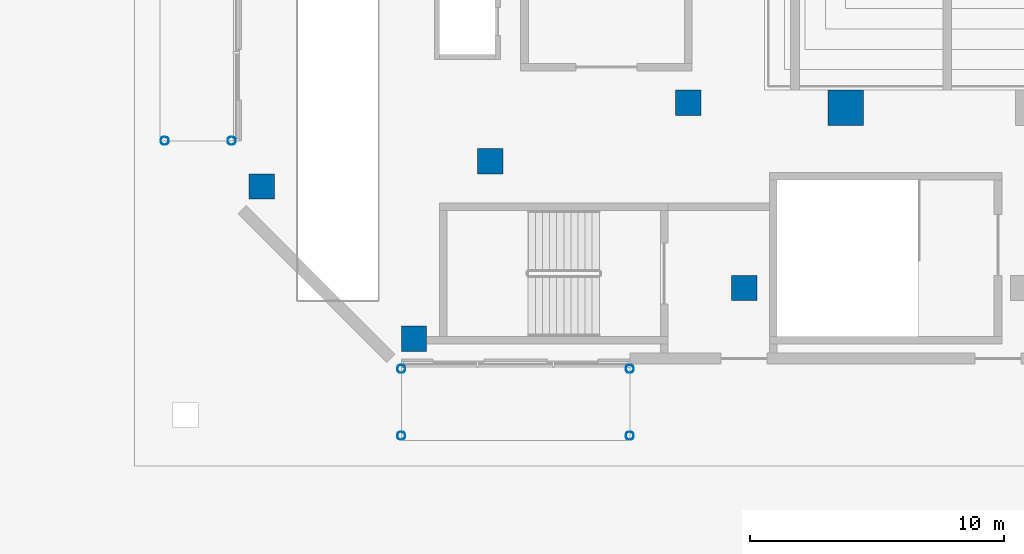
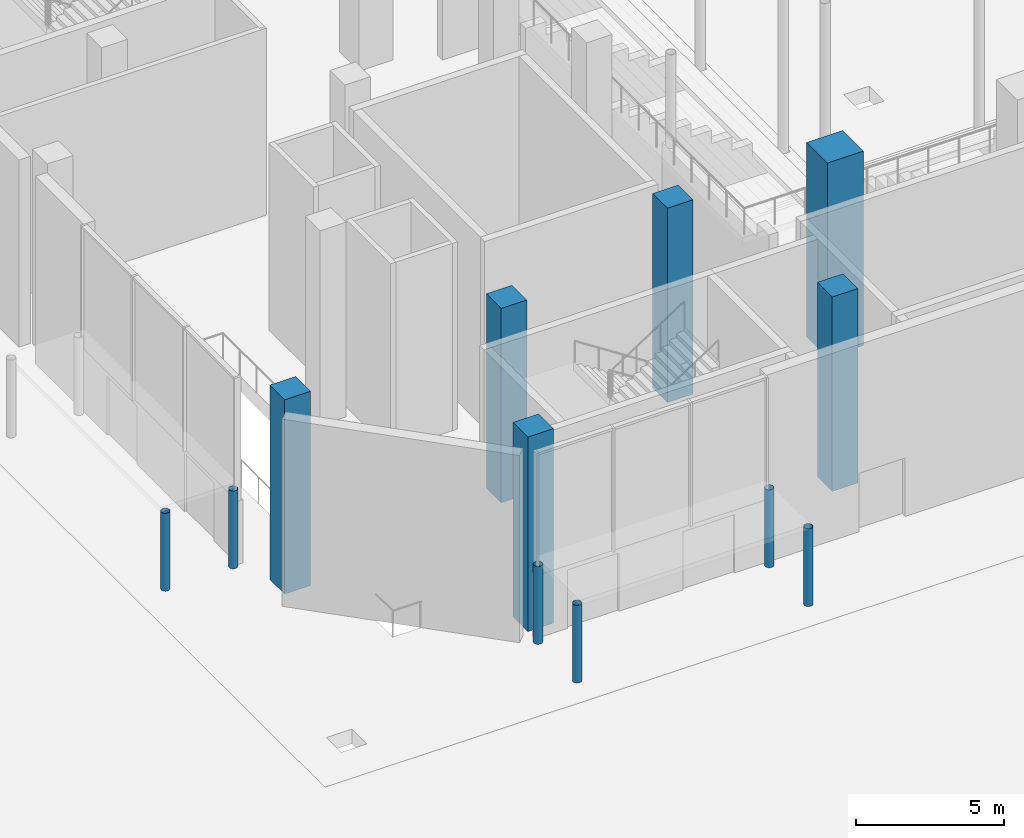
# One storey, part 1 of 41: 12 columns.
"""IFC4 building model written with IfcOpenShell, lengths in metres."""

import ifcopenshell
import ifcopenshell.guid

model = None  # the IFC model being written
_history = None  # IfcOwnerHistory: only IFC2X3 demands one
_inside = {}  # id of a spatial element -> (the spatial element, [elements in it])
_under = {}  # id of a project, library or spatial element -> (it, [spatial elements below it])
_declared = {}  # id of a project -> (the project, [libraries it declares])
_typed = {}  # id of a type object -> (the type object, [elements of that type])
_made_of = {}  # id of a material, layer set ... -> (it, [elements and type objects made of it])


def new_model(schema):
    """Start an empty IFC model of exactly this schema.

    Asked for "IFC4X3", IfcOpenShell would pick the latest addendum, in which some entities
    have other attributes; the version numbers below select the first issue.
    IFC2X3 requires an IfcOwnerHistory on every rooted entity: one is made here for all.
    """
    global model, _history
    if schema == "IFC4X3":
        model = ifcopenshell.file(schema_version=(4, 3, 0, 0))
    else:
        model = ifcopenshell.file(schema=schema)
    _inside.clear()
    _under.clear()
    _declared.clear()
    _typed.clear()
    _made_of.clear()
    _history = None
    if model.schema == "IFC2X3":
        org = make("IfcOrganization", Name="unknown")
        user = make(
            "IfcPersonAndOrganization",
            ThePerson=make("IfcPerson", FamilyName="unknown"),
            TheOrganization=org,
        )
        app = make(
            "IfcApplication",
            ApplicationDeveloper=org,
            Version="unknown",
            ApplicationFullName="unknown",
            ApplicationIdentifier="unknown",
        )
        _history = make(
            "IfcOwnerHistory",
            OwningUser=user,
            OwningApplication=app,
            ChangeAction="ADDED",
            CreationDate=0,
        )
    return model


def make(cls, **values):
    """One entity of the class cls with the attributes given. An attribute that is None is left unset."""
    return model.create_entity(
        cls, **{name: value for name, value in values.items() if value is not None}
    )


def rooted(cls, **values):
    """An entity with a GlobalId (a new one), such as an element, a storey or a relation."""
    return make(cls, GlobalId=ifcopenshell.guid.new(), OwnerHistory=_history, **values)


def si_unit(unit_type, name, prefix=None):
    """IfcSIUnit, for example si_unit("LENGTHUNIT", "METRE", prefix="MILLI")."""
    return make("IfcSIUnit", UnitType=unit_type, Prefix=prefix, Name=name)


def assignment(units):
    """IfcUnitAssignment: the units of a project."""
    return None if units is None else make("IfcUnitAssignment", Units=units)


def point(xyz):
    """IfcCartesianPoint."""
    return None if xyz is None else make("IfcCartesianPoint", Coordinates=xyz)


def direction(xyz):
    """IfcDirection."""
    return None if xyz is None else make("IfcDirection", DirectionRatios=xyz)


def frame(location, z_axis=None, x_axis=None):
    """IfcAxis2Placement3D, a coordinate frame: its origin and axes. An axis left out is left unset."""
    return make(
        "IfcAxis2Placement3D",
        Location=point(location),
        Axis=direction(z_axis),
        RefDirection=direction(x_axis),
    )


def frame_2d(location, x_axis=None):
    """IfcAxis2Placement2D, a coordinate frame in the plane: its origin and x axis."""
    return make(
        "IfcAxis2Placement2D", Location=point(location), RefDirection=direction(x_axis)
    )


def origin():
    """The frame at (0, 0, 0) with its axes left unset."""
    return frame((0.0, 0.0, 0.0))


def origin_2d():
    """The frame at (0, 0) in the plane with its x axis left unset."""
    return frame_2d((0.0, 0.0))


def place(relative_to, where):
    """IfcLocalPlacement: puts the frame where relative to a parent placement (None: the world)."""
    return make(
        "IfcLocalPlacement", PlacementRelTo=relative_to, RelativePlacement=where
    )


def context(
    kind, dimensions, precision=None, world=None, true_north=None, identifier=None
):
    """IfcGeometricRepresentationContext, for example the 3D "Model" context."""
    return make(
        "IfcGeometricRepresentationContext",
        ContextIdentifier=identifier,
        ContextType=kind,
        CoordinateSpaceDimension=dimensions,
        Precision=precision,
        WorldCoordinateSystem=world,
        TrueNorth=true_north,
    )


def subcontext(parent, identifier, kind, view, scale=None):
    """IfcGeometricRepresentationSubContext, for example "Body" below "Model"."""
    return make(
        "IfcGeometricRepresentationSubContext",
        ContextIdentifier=identifier,
        ContextType=kind,
        ParentContext=parent,
        TargetScale=scale,
        TargetView=view,
    )


def project(units=None, contexts=None):
    """IfcProject with its units and contexts."""
    return rooted(
        "IfcProject",
        Name="project",
        RepresentationContexts=contexts,
        UnitsInContext=assignment(units),
    )


def spatial(cls, under=None, at=None, **own):
    """A site, building, storey or space (cls), placed at a placement, below another one or the project."""
    s = rooted(cls, ObjectPlacement=at, **own)
    if under is not None:
        _under.setdefault(under.id(), (under, []))[1].append(s)
    return s


def profile(cls, at=None, kind="AREA", **sizes):
    """A parametric profile (cls). Its sizes go by their IFC names, for example OverallWidth=200.0."""
    return make(cls, ProfileType=kind, Position=at, **sizes)


def rectangle(**sizes):
    """IfcRectangleProfileDef."""
    return profile("IfcRectangleProfileDef", **sizes)


def hollow_circle(**sizes):
    """IfcCircleHollowProfileDef."""
    return profile("IfcCircleHollowProfileDef", **sizes)


def extrude(swept, where, along, depth):
    """IfcExtrudedAreaSolid: the profile swept, set in the frame where, extruded along a direction by depth."""
    return make(
        "IfcExtrudedAreaSolid",
        SweptArea=swept,
        Position=where,
        ExtrudedDirection=direction(along),
        Depth=depth,
    )


def shape(context_of_items, identifier, shape_type, items):
    """IfcShapeRepresentation: the items that make up one representation, for example the "Body"."""
    return make(
        "IfcShapeRepresentation",
        ContextOfItems=context_of_items,
        RepresentationIdentifier=identifier,
        RepresentationType=shape_type,
        Items=items,
    )


def material(Name=None, Category=None):
    """IfcMaterial."""
    return make("IfcMaterial", Name=Name, Category=Category)


def material_profile(
    of_material, cross_section, Name=None, Category=None, Priority=None
):
    """IfcMaterialProfile: a cross section and its material."""
    return make(
        "IfcMaterialProfile",
        Name=Name,
        Material=of_material,
        Profile=cross_section,
        Priority=Priority,
        Category=Category,
    )


def profile_set(profiles, Name=None, composite=None):
    """IfcMaterialProfileSet."""
    return make(
        "IfcMaterialProfileSet",
        Name=Name,
        MaterialProfiles=profiles,
        CompositeProfile=composite,
    )


def made_of(thing, what):
    """Note that an element or type object is made of a material, layer set ...; save() writes the relation."""
    if what is not None:
        _made_of.setdefault(what.id(), (what, []))[1].append(thing)
    return thing


def type_object(cls, material=None, **own):
    """A type object (cls), such as IfcWallType, which elements share."""
    return made_of(rooted(cls, **own), material)


def element(
    cls,
    number,
    at=None,
    inside=None,
    cuts=None,
    type_object=None,
    material=None,
    context=None,
    identifier="Body",
    shape_type=None,
    held_by="IfcProductDefinitionShape",
    body=None,
    shapes=None,
    **own,
):
    """One element of the class cls, such as IfcWall. Its Tag is "e" and its number.

    at: its placement. inside: the storey or other place that contains it. cuts: it is an
    opening in that element (IfcRelVoidsElement). A single representation is given by context,
    identifier, shape_type and body (its items); several are given by shapes. held_by: the class
    of the entity that holds the representations. save() writes the other relations.
    """
    e = rooted(cls, Tag="e%d" % number, ObjectPlacement=at, **own)
    if body is not None:
        shapes = [shape(context, identifier, shape_type, body)]
    if shapes is not None:
        e.Representation = make(held_by, Representations=shapes)
    if inside is not None:
        _inside.setdefault(inside.id(), (inside, []))[1].append(e)
    if cuts is not None:
        rooted(
            "IfcRelVoidsElement", RelatingBuildingElement=cuts, RelatedOpeningElement=e
        )
    if type_object is not None:
        _typed.setdefault(type_object.id(), (type_object, []))[1].append(e)
    return made_of(e, material)


def aggregate(whole, parts):
    """IfcRelAggregates: a whole, such as a stair, and the parts it consists of."""
    return rooted("IfcRelAggregates", RelatingObject=whole, RelatedObjects=parts)


def save(model, path):
    """Write the relations noted so far, then the file.

    IfcRelAggregates (storeys below a building ...), IfcRelContainedInSpatialStructure (elements
    in a storey), IfcRelDefinesByType, IfcRelAssociatesMaterial and IfcRelDeclares: one each for
    every whole, place, type object, material and project.
    """
    for whole, parts in _under.values():
        aggregate(whole, parts)
    for where, things in _inside.values():
        rooted(
            "IfcRelContainedInSpatialStructure",
            RelatedElements=things,
            RelatingStructure=where,
        )
    for kind, things in _typed.values():
        rooted("IfcRelDefinesByType", RelatedObjects=things, RelatingType=kind)
    for what, things in _made_of.values():
        rooted("IfcRelAssociatesMaterial", RelatedObjects=things, RelatingMaterial=what)
    for by, libraries in _declared.values():
        rooted("IfcRelDeclares", RelatingContext=by, RelatedDefinitions=libraries)
    model.write(path)


model = new_model("IFC4")

# Units and contexts
model_context = context("Model", 3, precision=1e-05, world=origin(), true_north=direction((0.0, 1.0)))
body_context = subcontext(model_context, "Body", "Model", "MODEL_VIEW")
ifc_project = project(units=[si_unit("LENGTHUNIT", "METRE"), si_unit("AREAUNIT", "SQUARE_METRE"), si_unit("VOLUMEUNIT", "CUBIC_METRE"), si_unit("PLANEANGLEUNIT", "RADIAN"), si_unit("MASSUNIT", "GRAM", prefix="KILO")], contexts=[model_context])

# Site, building, storey
site_placement = place(None, origin())
site = spatial("IfcSite", under=ifc_project, at=site_placement, CompositionType="ELEMENT")
building_placement = place(site_placement, origin())
building = spatial("IfcBuilding", under=site, at=building_placement, Name="Wharfspan Tower", CompositionType="ELEMENT")
storey_placement = place(building_placement, origin())
storey = spatial("IfcBuildingStorey", under=building, at=storey_placement, Name="L00", CompositionType="ELEMENT", Elevation=0.0)

# Columns
ifc_material_1 = material(Name="Steel S355J2", Category="steel")
ifc_material_profile_1 = material_profile(ifc_material_1, hollow_circle(Radius=0.161865, WallThickness=0.01001, at=origin_2d()))
ifc_profile_set_1 = profile_set([ifc_material_profile_1], Name="Steel S355J2")
column_type_1 = type_object("IfcColumnType", Name="Canopy post CHS 323.9x10", PredefinedType="COLUMN", material=ifc_profile_set_1)
for number, where, z_axis, x_axis, name in (
    (1, (-5.5, -34.818115, 0.0), (0.0, 0.0, 1.0), (1.0, 0.0, 0.0), "Canopy post"),
    (2, (3.5, -34.818115, 0.0), (0.0, 0.0, 1.0), (1.0, 0.0, 0.0), "Canopy post"),
    (3, (-14.818115, -23.199951, 0.0), (0.0, 0.0, 1.0), (1.0, 0.0, 0.0), "Canopy post"),
    (4, (-5.5, -32.181885, 0.0), (0.0, 0.0, 1.0), (1.0, 0.0, 0.0), "Canopy post"),
    (5, (3.5, -32.181885, 0.0), (0.0, 0.0, 1.0), (1.0, 0.0, 0.0), "Canopy post"),
    (6, (-12.181885, -23.199951, 0.0), (0.0, 0.0, 1.0), (1.0, 0.0, 0.0), "Canopy post"),
):
    element("IfcColumn", number, at=place(storey_placement, frame(where, z_axis=z_axis, x_axis=x_axis)), inside=storey, type_object=column_type_1, Name=name, PredefinedType="COLUMN", context=body_context, shape_type="SweptSolid", body=[
        extrude(hollow_circle(Radius=0.161865, WallThickness=0.01001, at=origin_2d()), origin(), (0.0, 0.0, 1.0), 3.199951),
    ])
ifc_material_2 = material(Name="Concrete C60/75", Category="concrete")
ifc_material_profile_2 = material_profile(ifc_material_2, rectangle(XDim=1.0, YDim=1.0, at=origin_2d()))
ifc_profile_set_2 = profile_set([ifc_material_profile_2], Name="Concrete C60/75")
column_type_2 = type_object("IfcColumnType", Name="Concrete column 1000 square", PredefinedType="COLUMN", material=ifc_profile_set_2)
for number, where, z_axis, x_axis, name in (
    (7, (5.800049, -21.699951, 0.0), (0.0, 0.0, 1.0), (1.0, 0.0, 0.0), "Column G.S1"),
    (8, (-11.0, -25.0, 0.0), (0.0, 0.0, 1.0), (1.0, 0.0, 0.0), "Column D.7"),
    (9, (-5.0, -31.0, 0.0), (0.0, 0.0, 1.0), (1.0, 0.0, 0.0), "Column D.19"),
    (10, (8.0, -29.0, 0.0), (0.0, 0.0, 1.0), (1.0, 0.0, 0.0), "Column D.33"),
    (11, (-2.0, -24.0, 0.0), (0.0, 0.0, 1.0), (1.0, 0.0, 0.0), "Column D.51"),
):
    element("IfcColumn", number, at=place(storey_placement, frame(where, z_axis=z_axis, x_axis=x_axis)), inside=storey, type_object=column_type_2, Name=name, PredefinedType="COLUMN", context=body_context, shape_type="SweptSolid", body=[
        extrude(rectangle(XDim=1.0, YDim=1.0, at=origin_2d()), origin(), (0.0, 0.0, 1.0), 8.0),
    ])
ifc_material_profile_3 = material_profile(ifc_material_2, rectangle(XDim=1.399902, YDim=1.399902, at=origin_2d()))
ifc_profile_set_3 = profile_set([ifc_material_profile_3], Name="Concrete C60/75")
column_type_3 = type_object("IfcColumnType", Name="Concrete column 1400 square", PredefinedType="COLUMN", material=ifc_profile_set_3)
column_placement = place(storey_placement, frame((12.0, -21.899902, 0.0), z_axis=(0.0, 0.0, 1.0), x_axis=(1.0, 0.0, 0.0)))
element("IfcColumn", 12, at=column_placement, inside=storey, type_object=column_type_3, Name="Column RS.1", PredefinedType="COLUMN", context=body_context, shape_type="SweptSolid", body=[
    extrude(rectangle(XDim=1.399902, YDim=1.399902, at=origin_2d()), origin(), (0.0, 0.0, 1.0), 8.0),
])

save(model, "model.ifc")
